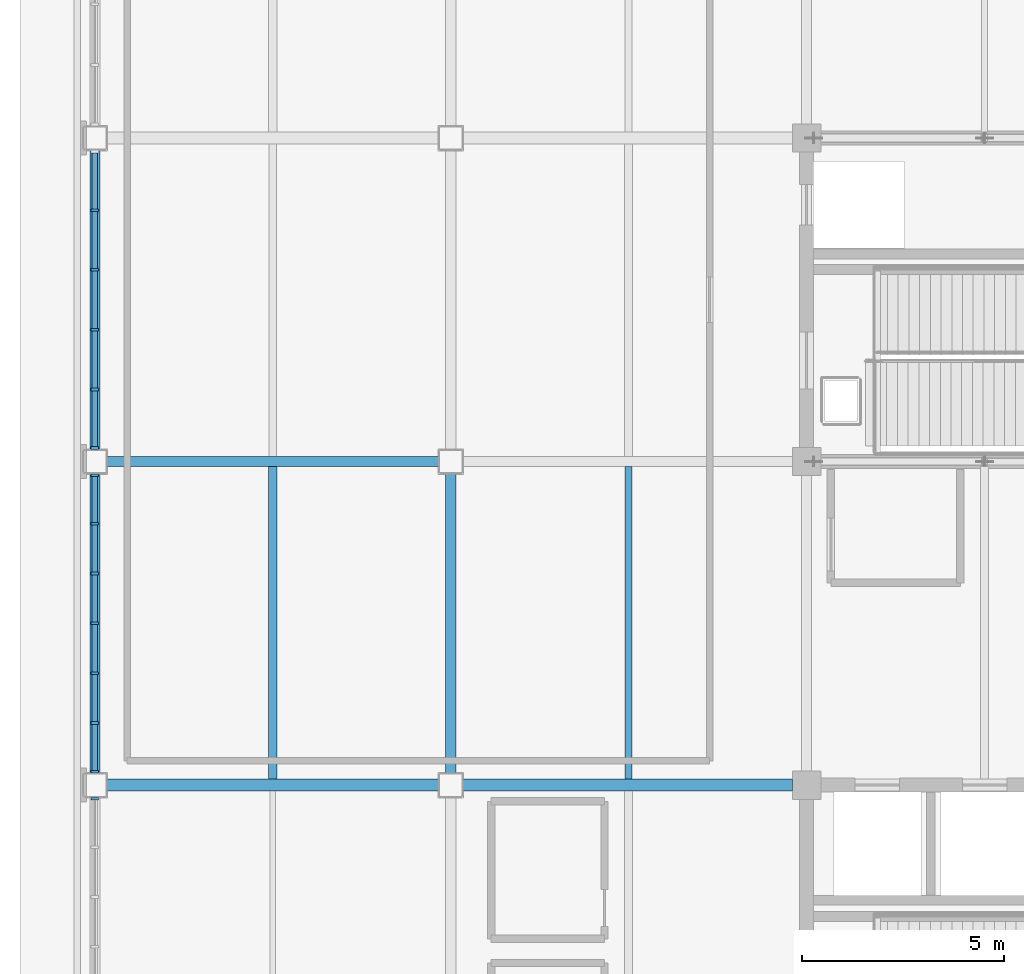
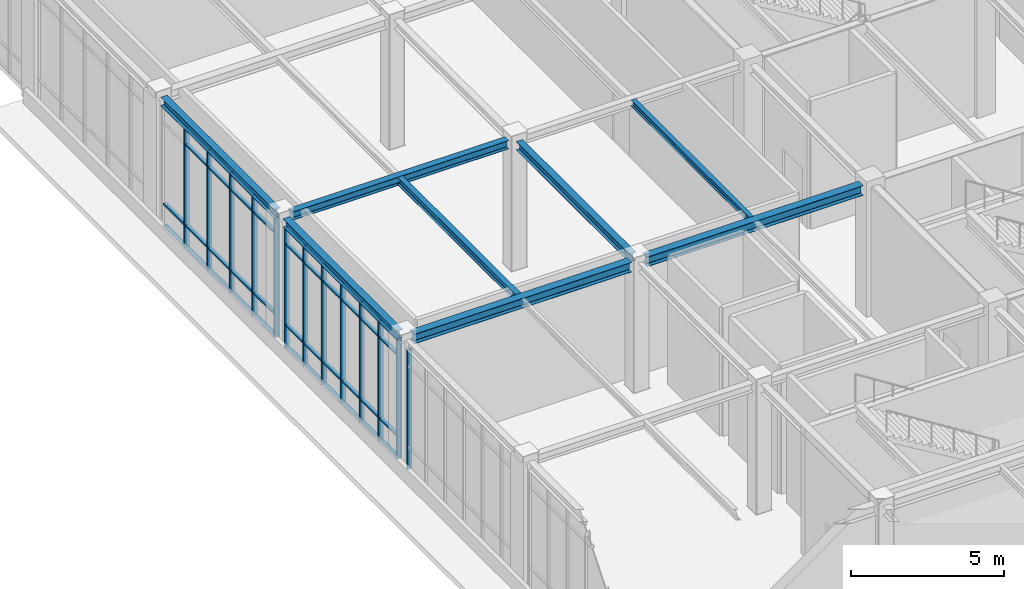
# One storey, part 28 of 108: 55 members, 8 beams, 3 elements without a shape of their own.
"""IFC4 building model written with IfcOpenShell, lengths in metres."""

from ifc_helpers import new_model, si_unit, direction, frame, origin, origin_2d, place, context, subcontext, project, spatial, rectangle, i_section, extrude, material, material_profile, profile_set, type_object, element, aggregate, save


model = new_model("IFC4")

# Units and contexts
model_context = context("Model", 3, precision=1e-05, world=origin(), true_north=direction((0.0, 1.0)))
body_context = subcontext(model_context, "Body", "Model", "MODEL_VIEW")
ifc_project = project(units=[si_unit("LENGTHUNIT", "METRE"), si_unit("AREAUNIT", "SQUARE_METRE"), si_unit("VOLUMEUNIT", "CUBIC_METRE"), si_unit("PLANEANGLEUNIT", "RADIAN"), si_unit("MASSUNIT", "GRAM", prefix="KILO")], contexts=[model_context])

# Site, building, storey
site_placement = place(None, origin())
site = spatial("IfcSite", under=ifc_project, at=site_placement, CompositionType="ELEMENT")
building_placement = place(site_placement, origin())
building = spatial("IfcBuilding", under=site, at=building_placement, Name="Zhaolan Boulevard Law Courts", CompositionType="ELEMENT")
storey_placement = place(building_placement, frame((0.0, 0.0, 10.800048828125)))
storey = spatial("IfcBuildingStorey", under=building, at=storey_placement, Name="L02", CompositionType="ELEMENT", Elevation=10.800048828125)

# Curtain wall, member
ifc_material_1 = material(Name="Thermally broken aluminium and low-E glazing", Category="aluminium")
curtain_wall_type_1 = type_object("IfcCurtainWallType", Name="CURTAIN WALL M14", PredefinedType="USERDEFINED", material=ifc_material_1)
curtain_wall_1_placement = place(storey_placement, origin())
curtain_wall_1 = element("IfcCurtainWall", 1, at=curtain_wall_1_placement, inside=storey, type_object=curtain_wall_type_1, Name="Curtain Wall CW-L02-158", ObjectType="CURTAIN WALL", PredefinedType="USERDEFINED")
ifc_material_2 = material(Name="Fluorocarbon-coated aluminium 6063-T6", Category="aluminium")
ifc_material_profile_1 = material_profile(ifc_material_2, rectangle(XDim=0.179931640625, YDim=0.06494140625, at=origin_2d()), Name="AL65x180")
ifc_profile_set_1 = profile_set([ifc_material_profile_1], Name="Fluorocarbon-coated aluminium 6063-T6")
member_type_1 = type_object("IfcMemberType", Name="CWMULLION 65X180", PredefinedType="MULLION", material=ifc_profile_set_1)
member_1_placement = place(storey_placement, frame((0.0, 53.66552734375, 0.0), z_axis=(0.0, 0.0, 1.0), x_axis=(1.0, 0.0, 0.0)))
member_1 = element("IfcMember", 2, at=member_1_placement, type_object=member_type_1, Name="CW-L02-158 mullion 1", PredefinedType="MULLION", context=body_context, shape_type="SweptSolid", body=[
    extrude(rectangle(XDim=0.179931640625, YDim=0.06494140625, at=origin_2d()), origin(), (0.0, 0.0, 1.0), 4.782958984375),
])
aggregate(curtain_wall_1, [member_1])

# Curtain wall, members
ifc_material_3 = material(Name="Thermally broken aluminium and low-E glazing", Category="aluminium")
curtain_wall_type_2 = type_object("IfcCurtainWallType", Name="CURTAIN WALL M15", PredefinedType="USERDEFINED", material=ifc_material_3)
curtain_wall_2_placement = place(storey_placement, origin())
curtain_wall_2 = element("IfcCurtainWall", 3, at=curtain_wall_2_placement, inside=storey, type_object=curtain_wall_type_2, Name="Curtain Wall CW-L02-159", ObjectType="CURTAIN WALL", PredefinedType="USERDEFINED")
member_2_placement = place(storey_placement, frame((0.0, 61.66552734375, 0.0), z_axis=(0.0, 0.0, 1.0), x_axis=(1.0, 0.0, 0.0)))
member_2 = element("IfcMember", 4, at=member_2_placement, type_object=member_type_1, Name="CW-L02-159 mullion 1", PredefinedType="MULLION", context=body_context, shape_type="SweptSolid", body=[
    extrude(rectangle(XDim=0.179931640625, YDim=0.06494140625, at=origin_2d()), origin(), (0.0, 0.0, 1.0), 4.782958984375),
])
member_3_placement = place(storey_placement, frame((0.0, 60.46533203125, 0.0), z_axis=(0.0, 0.0, 1.0), x_axis=(1.0, 0.0, 0.0)))
member_3 = element("IfcMember", 5, at=member_3_placement, type_object=member_type_1, Name="CW-L02-159 mullion 2", PredefinedType="MULLION", context=body_context, shape_type="SweptSolid", body=[
    extrude(rectangle(XDim=0.179931640625, YDim=0.06494140625, at=origin_2d()), origin(), (0.0, 0.0, 1.0), 4.782958984375),
])
member_4_placement = place(storey_placement, frame((0.0, 59.232666015625, 0.0), z_axis=(0.0, 0.0, 1.0), x_axis=(1.0, 0.0, 0.0)))
member_4 = element("IfcMember", 6, at=member_4_placement, type_object=member_type_1, Name="CW-L02-159 mullion 3", PredefinedType="MULLION", context=body_context, shape_type="SweptSolid", body=[
    extrude(rectangle(XDim=0.179931640625, YDim=0.06494140625, at=origin_2d()), origin(), (0.0, 0.0, 1.0), 4.782958984375),
])
member_5_placement = place(storey_placement, frame((0.0, 58.0, 0.0), z_axis=(0.0, 0.0, 1.0), x_axis=(1.0, 0.0, 0.0)))
member_5 = element("IfcMember", 7, at=member_5_placement, type_object=member_type_1, Name="CW-L02-159 mullion 4", PredefinedType="MULLION", context=body_context, shape_type="SweptSolid", body=[
    extrude(rectangle(XDim=0.179931640625, YDim=0.06494140625, at=origin_2d()), origin(), (0.0, 0.0, 1.0), 4.782958984375),
])
member_6_placement = place(storey_placement, frame((0.0, 56.767333984375, 0.0), z_axis=(0.0, 0.0, 1.0), x_axis=(1.0, 0.0, 0.0)))
member_6 = element("IfcMember", 8, at=member_6_placement, type_object=member_type_1, Name="CW-L02-159 mullion 5", PredefinedType="MULLION", context=body_context, shape_type="SweptSolid", body=[
    extrude(rectangle(XDim=0.179931640625, YDim=0.06494140625, at=origin_2d()), origin(), (0.0, 0.0, 1.0), 4.782958984375),
])
member_7_placement = place(storey_placement, frame((0.0, 55.53466796875, 0.0), z_axis=(0.0, 0.0, 1.0), x_axis=(1.0, 0.0, 0.0)))
member_7 = element("IfcMember", 9, at=member_7_placement, type_object=member_type_1, Name="CW-L02-159 mullion 6", PredefinedType="MULLION", context=body_context, shape_type="SweptSolid", body=[
    extrude(rectangle(XDim=0.179931640625, YDim=0.06494140625, at=origin_2d()), origin(), (0.0, 0.0, 1.0), 4.782958984375),
])
member_8_placement = place(storey_placement, frame((0.0, 54.33447265625, 0.0), z_axis=(0.0, 0.0, 1.0), x_axis=(1.0, 0.0, 0.0)))
member_8 = element("IfcMember", 10, at=member_8_placement, type_object=member_type_1, Name="CW-L02-159 mullion 7", PredefinedType="MULLION", context=body_context, shape_type="SweptSolid", body=[
    extrude(rectangle(XDim=0.179931640625, YDim=0.06494140625, at=origin_2d()), origin(), (0.0, 0.0, 1.0), 4.782958984375),
])

ifc_material_4 = material(Name="Thermally broken aluminium and low-E glazing", Category="aluminium")
curtain_wall_type_3 = type_object("IfcCurtainWallType", Name="CURTAIN WALL M16", PredefinedType="USERDEFINED", material=ifc_material_4)
curtain_wall_3_placement = place(storey_placement, origin())
curtain_wall_3 = element("IfcCurtainWall", 11, at=curtain_wall_3_placement, inside=storey, type_object=curtain_wall_type_3, Name="Curtain Wall CW-L02-160", ObjectType="CURTAIN WALL", PredefinedType="USERDEFINED")
member_9_placement = place(storey_placement, frame((0.0, 68.21875, 0.0), z_axis=(0.0, 0.0, 1.0), x_axis=(1.0, 0.0, 0.0)))
member_9 = element("IfcMember", 12, at=member_9_placement, type_object=member_type_1, Name="CW-L02-160 mullion 2", PredefinedType="MULLION", context=body_context, shape_type="SweptSolid", body=[
    extrude(rectangle(XDim=0.179931640625, YDim=0.06494140625, at=origin_2d()), origin(), (0.0, 0.0, 1.0), 4.782958984375),
])
member_10_placement = place(storey_placement, frame((0.0, 66.739501953125, 0.0), z_axis=(0.0, 0.0, 1.0), x_axis=(1.0, 0.0, 0.0)))
member_10 = element("IfcMember", 13, at=member_10_placement, type_object=member_type_1, Name="CW-L02-160 mullion 3", PredefinedType="MULLION", context=body_context, shape_type="SweptSolid", body=[
    extrude(rectangle(XDim=0.179931640625, YDim=0.06494140625, at=origin_2d()), origin(), (0.0, 0.0, 1.0), 4.782958984375),
])
member_11_placement = place(storey_placement, frame((0.0, 65.260498046875, 0.0), z_axis=(0.0, 0.0, 1.0), x_axis=(1.0, 0.0, 0.0)))
member_11 = element("IfcMember", 14, at=member_11_placement, type_object=member_type_1, Name="CW-L02-160 mullion 4", PredefinedType="MULLION", context=body_context, shape_type="SweptSolid", body=[
    extrude(rectangle(XDim=0.179931640625, YDim=0.06494140625, at=origin_2d()), origin(), (0.0, 0.0, 1.0), 4.782958984375),
])
member_12_placement = place(storey_placement, frame((0.0, 63.78125, 0.0), z_axis=(0.0, 0.0, 1.0), x_axis=(1.0, 0.0, 0.0)))
member_12 = element("IfcMember", 15, at=member_12_placement, type_object=member_type_1, Name="CW-L02-160 mullion 5", PredefinedType="MULLION", context=body_context, shape_type="SweptSolid", body=[
    extrude(rectangle(XDim=0.179931640625, YDim=0.06494140625, at=origin_2d()), origin(), (0.0, 0.0, 1.0), 4.782958984375),
])
member_13_placement = place(storey_placement, frame((0.0, 62.33447265625, 0.0), z_axis=(0.0, 0.0, 1.0), x_axis=(1.0, 0.0, 0.0)))
member_13 = element("IfcMember", 16, at=member_13_placement, type_object=member_type_1, Name="CW-L02-160 mullion 6", PredefinedType="MULLION", context=body_context, shape_type="SweptSolid", body=[
    extrude(rectangle(XDim=0.179931640625, YDim=0.06494140625, at=origin_2d()), origin(), (0.0, 0.0, 1.0), 4.782958984375),
])

# Member
ifc_material_5 = material(Name="Fluorocarbon-coated aluminium 6063-T6", Category="aluminium")
ifc_material_profile_2 = material_profile(ifc_material_5, rectangle(XDim=0.139892578125, YDim=0.06494140625, at=origin_2d()), Name="AL65x140")
ifc_profile_set_2 = profile_set([ifc_material_profile_2], Name="Fluorocarbon-coated aluminium 6063-T6")
member_type_2 = type_object("IfcMemberType", Name="CWTRANSOM 65X140", PredefinedType="USERDEFINED", material=ifc_profile_set_2)
member_14_placement = place(storey_placement, frame((0.0, 61.633056640625, 0.032470703125), z_axis=(0.0, -1.0, 0.0), x_axis=(1.0, 0.0, 0.0)))
member_14 = element("IfcMember", 17, at=member_14_placement, type_object=member_type_2, Name="CW-L02-159 transom 1.1", ObjectType="TRANSOM", PredefinedType="USERDEFINED", context=body_context, shape_type="SweptSolid", body=[
    extrude(rectangle(XDim=0.139892578125, YDim=0.06494140625, at=origin_2d()), origin(), (0.0, 0.0, 1.0), 1.13525390625),
])

member_15_placement = place(storey_placement, frame((0.0, 61.633056640625, 0.89990234375), z_axis=(0.0, -1.0, 0.0), x_axis=(1.0, 0.0, 0.0)))
member_15 = element("IfcMember", 18, at=member_15_placement, type_object=member_type_2, Name="CW-L02-159 transom 1.2", ObjectType="TRANSOM", PredefinedType="USERDEFINED", context=body_context, shape_type="SweptSolid", body=[
    extrude(rectangle(XDim=0.139892578125, YDim=0.06494140625, at=origin_2d()), origin(), (0.0, 0.0, 1.0), 1.13525390625),
])

member_16_placement = place(storey_placement, frame((0.0, 61.633056640625, 4.133056640625), z_axis=(0.0, -1.0, 0.0), x_axis=(1.0, 0.0, 0.0)))
member_16 = element("IfcMember", 19, at=member_16_placement, type_object=member_type_2, Name="CW-L02-159 transom 1.3", ObjectType="TRANSOM", PredefinedType="USERDEFINED", context=body_context, shape_type="SweptSolid", body=[
    extrude(rectangle(XDim=0.139892578125, YDim=0.06494140625, at=origin_2d()), origin(), (0.0, 0.0, 1.0), 1.13525390625),
])

member_17_placement = place(storey_placement, frame((0.0, 61.633056640625, 4.75048828125), z_axis=(0.0, -1.0, 0.0), x_axis=(1.0, 0.0, 0.0)))
member_17 = element("IfcMember", 20, at=member_17_placement, type_object=member_type_2, Name="CW-L02-159 transom 1.4", ObjectType="TRANSOM", PredefinedType="USERDEFINED", context=body_context, shape_type="SweptSolid", body=[
    extrude(rectangle(XDim=0.139892578125, YDim=0.06494140625, at=origin_2d()), origin(), (0.0, 0.0, 1.0), 1.13525390625),
])

member_18_placement = place(storey_placement, frame((0.0, 60.432861328125, 0.032470703125), z_axis=(0.0, -1.0, 0.0), x_axis=(1.0, 0.0, 0.0)))
member_18 = element("IfcMember", 21, at=member_18_placement, type_object=member_type_2, Name="CW-L02-159 transom 2.1", ObjectType="TRANSOM", PredefinedType="USERDEFINED", context=body_context, shape_type="SweptSolid", body=[
    extrude(rectangle(XDim=0.139892578125, YDim=0.06494140625, at=origin_2d()), origin(), (0.0, 0.0, 1.0), 1.167724609375),
])

member_19_placement = place(storey_placement, frame((0.0, 60.432861328125, 0.89990234375), z_axis=(0.0, -1.0, 0.0), x_axis=(1.0, 0.0, 0.0)))
member_19 = element("IfcMember", 22, at=member_19_placement, type_object=member_type_2, Name="CW-L02-159 transom 2.2", ObjectType="TRANSOM", PredefinedType="USERDEFINED", context=body_context, shape_type="SweptSolid", body=[
    extrude(rectangle(XDim=0.139892578125, YDim=0.06494140625, at=origin_2d()), origin(), (0.0, 0.0, 1.0), 1.167724609375),
])

member_20_placement = place(storey_placement, frame((0.0, 60.432861328125, 4.133056640625), z_axis=(0.0, -1.0, 0.0), x_axis=(1.0, 0.0, 0.0)))
member_20 = element("IfcMember", 23, at=member_20_placement, type_object=member_type_2, Name="CW-L02-159 transom 2.3", ObjectType="TRANSOM", PredefinedType="USERDEFINED", context=body_context, shape_type="SweptSolid", body=[
    extrude(rectangle(XDim=0.139892578125, YDim=0.06494140625, at=origin_2d()), origin(), (0.0, 0.0, 1.0), 1.167724609375),
])

member_21_placement = place(storey_placement, frame((0.0, 60.432861328125, 4.75048828125), z_axis=(0.0, -1.0, 0.0), x_axis=(1.0, 0.0, 0.0)))
member_21 = element("IfcMember", 24, at=member_21_placement, type_object=member_type_2, Name="CW-L02-159 transom 2.4", ObjectType="TRANSOM", PredefinedType="USERDEFINED", context=body_context, shape_type="SweptSolid", body=[
    extrude(rectangle(XDim=0.139892578125, YDim=0.06494140625, at=origin_2d()), origin(), (0.0, 0.0, 1.0), 1.167724609375),
])

member_22_placement = place(storey_placement, frame((0.0, 59.2001953125, 0.032470703125), z_axis=(0.0, -1.0, 0.0), x_axis=(1.0, 0.0, 0.0)))
member_22 = element("IfcMember", 25, at=member_22_placement, type_object=member_type_2, Name="CW-L02-159 transom 3.1", ObjectType="TRANSOM", PredefinedType="USERDEFINED", context=body_context, shape_type="SweptSolid", body=[
    extrude(rectangle(XDim=0.139892578125, YDim=0.06494140625, at=origin_2d()), origin(), (0.0, 0.0, 1.0), 1.167724609375),
])

member_23_placement = place(storey_placement, frame((0.0, 59.2001953125, 0.89990234375), z_axis=(0.0, -1.0, 0.0), x_axis=(1.0, 0.0, 0.0)))
member_23 = element("IfcMember", 26, at=member_23_placement, type_object=member_type_2, Name="CW-L02-159 transom 3.2", ObjectType="TRANSOM", PredefinedType="USERDEFINED", context=body_context, shape_type="SweptSolid", body=[
    extrude(rectangle(XDim=0.139892578125, YDim=0.06494140625, at=origin_2d()), origin(), (0.0, 0.0, 1.0), 1.167724609375),
])

member_24_placement = place(storey_placement, frame((0.0, 59.2001953125, 4.133056640625), z_axis=(0.0, -1.0, 0.0), x_axis=(1.0, 0.0, 0.0)))
member_24 = element("IfcMember", 27, at=member_24_placement, type_object=member_type_2, Name="CW-L02-159 transom 3.3", ObjectType="TRANSOM", PredefinedType="USERDEFINED", context=body_context, shape_type="SweptSolid", body=[
    extrude(rectangle(XDim=0.139892578125, YDim=0.06494140625, at=origin_2d()), origin(), (0.0, 0.0, 1.0), 1.167724609375),
])

member_25_placement = place(storey_placement, frame((0.0, 59.2001953125, 4.75048828125), z_axis=(0.0, -1.0, 0.0), x_axis=(1.0, 0.0, 0.0)))
member_25 = element("IfcMember", 28, at=member_25_placement, type_object=member_type_2, Name="CW-L02-159 transom 3.4", ObjectType="TRANSOM", PredefinedType="USERDEFINED", context=body_context, shape_type="SweptSolid", body=[
    extrude(rectangle(XDim=0.139892578125, YDim=0.06494140625, at=origin_2d()), origin(), (0.0, 0.0, 1.0), 1.167724609375),
])

member_26_placement = place(storey_placement, frame((0.0, 57.967529296875, 0.032470703125), z_axis=(0.0, -1.0, 0.0), x_axis=(1.0, 0.0, 0.0)))
member_26 = element("IfcMember", 29, at=member_26_placement, type_object=member_type_2, Name="CW-L02-159 transom 4.1", ObjectType="TRANSOM", PredefinedType="USERDEFINED", context=body_context, shape_type="SweptSolid", body=[
    extrude(rectangle(XDim=0.139892578125, YDim=0.06494140625, at=origin_2d()), origin(), (0.0, 0.0, 1.0), 1.167724609375),
])

member_27_placement = place(storey_placement, frame((0.0, 57.967529296875, 0.89990234375), z_axis=(0.0, -1.0, 0.0), x_axis=(1.0, 0.0, 0.0)))
member_27 = element("IfcMember", 30, at=member_27_placement, type_object=member_type_2, Name="CW-L02-159 transom 4.2", ObjectType="TRANSOM", PredefinedType="USERDEFINED", context=body_context, shape_type="SweptSolid", body=[
    extrude(rectangle(XDim=0.139892578125, YDim=0.06494140625, at=origin_2d()), origin(), (0.0, 0.0, 1.0), 1.167724609375),
])

member_28_placement = place(storey_placement, frame((0.0, 57.967529296875, 4.133056640625), z_axis=(0.0, -1.0, 0.0), x_axis=(1.0, 0.0, 0.0)))
member_28 = element("IfcMember", 31, at=member_28_placement, type_object=member_type_2, Name="CW-L02-159 transom 4.3", ObjectType="TRANSOM", PredefinedType="USERDEFINED", context=body_context, shape_type="SweptSolid", body=[
    extrude(rectangle(XDim=0.139892578125, YDim=0.06494140625, at=origin_2d()), origin(), (0.0, 0.0, 1.0), 1.167724609375),
])

member_29_placement = place(storey_placement, frame((0.0, 57.967529296875, 4.75048828125), z_axis=(0.0, -1.0, 0.0), x_axis=(1.0, 0.0, 0.0)))
member_29 = element("IfcMember", 32, at=member_29_placement, type_object=member_type_2, Name="CW-L02-159 transom 4.4", ObjectType="TRANSOM", PredefinedType="USERDEFINED", context=body_context, shape_type="SweptSolid", body=[
    extrude(rectangle(XDim=0.139892578125, YDim=0.06494140625, at=origin_2d()), origin(), (0.0, 0.0, 1.0), 1.167724609375),
])

member_30_placement = place(storey_placement, frame((0.0, 56.73486328125, 0.032470703125), z_axis=(0.0, -1.0, 0.0), x_axis=(1.0, 0.0, 0.0)))
member_30 = element("IfcMember", 33, at=member_30_placement, type_object=member_type_2, Name="CW-L02-159 transom 5.1", ObjectType="TRANSOM", PredefinedType="USERDEFINED", context=body_context, shape_type="SweptSolid", body=[
    extrude(rectangle(XDim=0.139892578125, YDim=0.06494140625, at=origin_2d()), origin(), (0.0, 0.0, 1.0), 1.167724609375),
])

member_31_placement = place(storey_placement, frame((0.0, 56.73486328125, 0.89990234375), z_axis=(0.0, -1.0, 0.0), x_axis=(1.0, 0.0, 0.0)))
member_31 = element("IfcMember", 34, at=member_31_placement, type_object=member_type_2, Name="CW-L02-159 transom 5.2", ObjectType="TRANSOM", PredefinedType="USERDEFINED", context=body_context, shape_type="SweptSolid", body=[
    extrude(rectangle(XDim=0.139892578125, YDim=0.06494140625, at=origin_2d()), origin(), (0.0, 0.0, 1.0), 1.167724609375),
])

member_32_placement = place(storey_placement, frame((0.0, 56.73486328125, 4.133056640625), z_axis=(0.0, -1.0, 0.0), x_axis=(1.0, 0.0, 0.0)))
member_32 = element("IfcMember", 35, at=member_32_placement, type_object=member_type_2, Name="CW-L02-159 transom 5.3", ObjectType="TRANSOM", PredefinedType="USERDEFINED", context=body_context, shape_type="SweptSolid", body=[
    extrude(rectangle(XDim=0.139892578125, YDim=0.06494140625, at=origin_2d()), origin(), (0.0, 0.0, 1.0), 1.167724609375),
])

member_33_placement = place(storey_placement, frame((0.0, 56.73486328125, 4.75048828125), z_axis=(0.0, -1.0, 0.0), x_axis=(1.0, 0.0, 0.0)))
member_33 = element("IfcMember", 36, at=member_33_placement, type_object=member_type_2, Name="CW-L02-159 transom 5.4", ObjectType="TRANSOM", PredefinedType="USERDEFINED", context=body_context, shape_type="SweptSolid", body=[
    extrude(rectangle(XDim=0.139892578125, YDim=0.06494140625, at=origin_2d()), origin(), (0.0, 0.0, 1.0), 1.167724609375),
])

member_34_placement = place(storey_placement, frame((0.0, 55.502197265625, 0.032470703125), z_axis=(0.0, -1.0, 0.0), x_axis=(1.0, 0.0, 0.0)))
member_34 = element("IfcMember", 37, at=member_34_placement, type_object=member_type_2, Name="CW-L02-159 transom 6.1", ObjectType="TRANSOM", PredefinedType="USERDEFINED", context=body_context, shape_type="SweptSolid", body=[
    extrude(rectangle(XDim=0.139892578125, YDim=0.06494140625, at=origin_2d()), origin(), (0.0, 0.0, 1.0), 1.13525390625),
])

member_35_placement = place(storey_placement, frame((0.0, 55.502197265625, 0.89990234375), z_axis=(0.0, -1.0, 0.0), x_axis=(1.0, 0.0, 0.0)))
member_35 = element("IfcMember", 38, at=member_35_placement, type_object=member_type_2, Name="CW-L02-159 transom 6.2", ObjectType="TRANSOM", PredefinedType="USERDEFINED", context=body_context, shape_type="SweptSolid", body=[
    extrude(rectangle(XDim=0.139892578125, YDim=0.06494140625, at=origin_2d()), origin(), (0.0, 0.0, 1.0), 1.13525390625),
])

member_36_placement = place(storey_placement, frame((0.0, 55.502197265625, 4.133056640625), z_axis=(0.0, -1.0, 0.0), x_axis=(1.0, 0.0, 0.0)))
member_36 = element("IfcMember", 39, at=member_36_placement, type_object=member_type_2, Name="CW-L02-159 transom 6.3", ObjectType="TRANSOM", PredefinedType="USERDEFINED", context=body_context, shape_type="SweptSolid", body=[
    extrude(rectangle(XDim=0.139892578125, YDim=0.06494140625, at=origin_2d()), origin(), (0.0, 0.0, 1.0), 1.13525390625),
])

member_37_placement = place(storey_placement, frame((0.0, 55.502197265625, 4.75048828125), z_axis=(0.0, -1.0, 0.0), x_axis=(1.0, 0.0, 0.0)))
member_37 = element("IfcMember", 40, at=member_37_placement, type_object=member_type_2, Name="CW-L02-159 transom 6.4", ObjectType="TRANSOM", PredefinedType="USERDEFINED", context=body_context, shape_type="SweptSolid", body=[
    extrude(rectangle(XDim=0.139892578125, YDim=0.06494140625, at=origin_2d()), origin(), (0.0, 0.0, 1.0), 1.13525390625),
])

aggregate(curtain_wall_2, [member_2, member_3, member_4, member_5, member_6, member_7, member_8, member_14, member_15, member_16, member_17, member_18, member_19, member_20, member_21, member_22, member_23, member_24, member_25, member_26, member_27, member_28, member_29, member_30, member_31, member_32, member_33, member_34, member_35, member_36, member_37])

member_38_placement = place(storey_placement, frame((0.0, 69.633056640625, 0.032470703125), z_axis=(0.0, -1.0, 0.0), x_axis=(1.0, 0.0, 0.0)))
member_38 = element("IfcMember", 41, at=member_38_placement, type_object=member_type_2, Name="CW-L02-160 transom 1.1", ObjectType="TRANSOM", PredefinedType="USERDEFINED", context=body_context, shape_type="SweptSolid", body=[
    extrude(rectangle(XDim=0.139892578125, YDim=0.06494140625, at=origin_2d()), origin(), (0.0, 0.0, 1.0), 1.3818359375),
])

member_39_placement = place(storey_placement, frame((0.0, 69.633056640625, 0.89990234375), z_axis=(0.0, -1.0, 0.0), x_axis=(1.0, 0.0, 0.0)))
member_39 = element("IfcMember", 42, at=member_39_placement, type_object=member_type_2, Name="CW-L02-160 transom 1.2", ObjectType="TRANSOM", PredefinedType="USERDEFINED", context=body_context, shape_type="SweptSolid", body=[
    extrude(rectangle(XDim=0.139892578125, YDim=0.06494140625, at=origin_2d()), origin(), (0.0, 0.0, 1.0), 1.3818359375),
])

member_40_placement = place(storey_placement, frame((0.0, 68.186279296875, 0.032470703125), z_axis=(0.0, -1.0, 0.0), x_axis=(1.0, 0.0, 0.0)))
member_40 = element("IfcMember", 43, at=member_40_placement, type_object=member_type_2, Name="CW-L02-160 transom 2.1", ObjectType="TRANSOM", PredefinedType="USERDEFINED", context=body_context, shape_type="SweptSolid", body=[
    extrude(rectangle(XDim=0.139892578125, YDim=0.06494140625, at=origin_2d()), origin(), (0.0, 0.0, 1.0), 1.4140625),
])

member_41_placement = place(storey_placement, frame((0.0, 68.186279296875, 0.89990234375), z_axis=(0.0, -1.0, 0.0), x_axis=(1.0, 0.0, 0.0)))
member_41 = element("IfcMember", 44, at=member_41_placement, type_object=member_type_2, Name="CW-L02-160 transom 2.2", ObjectType="TRANSOM", PredefinedType="USERDEFINED", context=body_context, shape_type="SweptSolid", body=[
    extrude(rectangle(XDim=0.139892578125, YDim=0.06494140625, at=origin_2d()), origin(), (0.0, 0.0, 1.0), 1.4140625),
])

member_42_placement = place(storey_placement, frame((0.0, 68.186279296875, 4.133056640625), z_axis=(0.0, -1.0, 0.0), x_axis=(1.0, 0.0, 0.0)))
member_42 = element("IfcMember", 45, at=member_42_placement, type_object=member_type_2, Name="CW-L02-160 transom 2.3", ObjectType="TRANSOM", PredefinedType="USERDEFINED", context=body_context, shape_type="SweptSolid", body=[
    extrude(rectangle(XDim=0.139892578125, YDim=0.06494140625, at=origin_2d()), origin(), (0.0, 0.0, 1.0), 1.4140625),
])

member_43_placement = place(storey_placement, frame((0.0, 68.186279296875, 4.75048828125), z_axis=(0.0, -1.0, 0.0), x_axis=(1.0, 0.0, 0.0)))
member_43 = element("IfcMember", 46, at=member_43_placement, type_object=member_type_2, Name="CW-L02-160 transom 2.4", ObjectType="TRANSOM", PredefinedType="USERDEFINED", context=body_context, shape_type="SweptSolid", body=[
    extrude(rectangle(XDim=0.139892578125, YDim=0.06494140625, at=origin_2d()), origin(), (0.0, 0.0, 1.0), 1.4140625),
])

member_44_placement = place(storey_placement, frame((0.0, 66.70703125, 0.032470703125), z_axis=(0.0, -1.0, 0.0), x_axis=(1.0, 0.0, 0.0)))
member_44 = element("IfcMember", 47, at=member_44_placement, type_object=member_type_2, Name="CW-L02-160 transom 3.1", ObjectType="TRANSOM", PredefinedType="USERDEFINED", context=body_context, shape_type="SweptSolid", body=[
    extrude(rectangle(XDim=0.139892578125, YDim=0.06494140625, at=origin_2d()), origin(), (0.0, 0.0, 1.0), 1.4140625),
])

member_45_placement = place(storey_placement, frame((0.0, 66.70703125, 0.89990234375), z_axis=(0.0, -1.0, 0.0), x_axis=(1.0, 0.0, 0.0)))
member_45 = element("IfcMember", 48, at=member_45_placement, type_object=member_type_2, Name="CW-L02-160 transom 3.2", ObjectType="TRANSOM", PredefinedType="USERDEFINED", context=body_context, shape_type="SweptSolid", body=[
    extrude(rectangle(XDim=0.139892578125, YDim=0.06494140625, at=origin_2d()), origin(), (0.0, 0.0, 1.0), 1.4140625),
])

member_46_placement = place(storey_placement, frame((0.0, 66.70703125, 4.133056640625), z_axis=(0.0, -1.0, 0.0), x_axis=(1.0, 0.0, 0.0)))
member_46 = element("IfcMember", 49, at=member_46_placement, type_object=member_type_2, Name="CW-L02-160 transom 3.3", ObjectType="TRANSOM", PredefinedType="USERDEFINED", context=body_context, shape_type="SweptSolid", body=[
    extrude(rectangle(XDim=0.139892578125, YDim=0.06494140625, at=origin_2d()), origin(), (0.0, 0.0, 1.0), 1.4140625),
])

member_47_placement = place(storey_placement, frame((0.0, 66.70703125, 4.75048828125), z_axis=(0.0, -1.0, 0.0), x_axis=(1.0, 0.0, 0.0)))
member_47 = element("IfcMember", 50, at=member_47_placement, type_object=member_type_2, Name="CW-L02-160 transom 3.4", ObjectType="TRANSOM", PredefinedType="USERDEFINED", context=body_context, shape_type="SweptSolid", body=[
    extrude(rectangle(XDim=0.139892578125, YDim=0.06494140625, at=origin_2d()), origin(), (0.0, 0.0, 1.0), 1.4140625),
])

member_48_placement = place(storey_placement, frame((0.0, 65.227783203125, 0.032470703125), z_axis=(0.0, -1.0, 0.0), x_axis=(1.0, 0.0, 0.0)))
member_48 = element("IfcMember", 51, at=member_48_placement, type_object=member_type_2, Name="CW-L02-160 transom 4.1", ObjectType="TRANSOM", PredefinedType="USERDEFINED", context=body_context, shape_type="SweptSolid", body=[
    extrude(rectangle(XDim=0.139892578125, YDim=0.06494140625, at=origin_2d()), origin(), (0.0, 0.0, 1.0), 1.4140625),
])

member_49_placement = place(storey_placement, frame((0.0, 65.227783203125, 0.89990234375), z_axis=(0.0, -1.0, 0.0), x_axis=(1.0, 0.0, 0.0)))
member_49 = element("IfcMember", 52, at=member_49_placement, type_object=member_type_2, Name="CW-L02-160 transom 4.2", ObjectType="TRANSOM", PredefinedType="USERDEFINED", context=body_context, shape_type="SweptSolid", body=[
    extrude(rectangle(XDim=0.139892578125, YDim=0.06494140625, at=origin_2d()), origin(), (0.0, 0.0, 1.0), 1.4140625),
])

member_50_placement = place(storey_placement, frame((0.0, 65.227783203125, 4.133056640625), z_axis=(0.0, -1.0, 0.0), x_axis=(1.0, 0.0, 0.0)))
member_50 = element("IfcMember", 53, at=member_50_placement, type_object=member_type_2, Name="CW-L02-160 transom 4.3", ObjectType="TRANSOM", PredefinedType="USERDEFINED", context=body_context, shape_type="SweptSolid", body=[
    extrude(rectangle(XDim=0.139892578125, YDim=0.06494140625, at=origin_2d()), origin(), (0.0, 0.0, 1.0), 1.4140625),
])

member_51_placement = place(storey_placement, frame((0.0, 65.227783203125, 4.75048828125), z_axis=(0.0, -1.0, 0.0), x_axis=(1.0, 0.0, 0.0)))
member_51 = element("IfcMember", 54, at=member_51_placement, type_object=member_type_2, Name="CW-L02-160 transom 4.4", ObjectType="TRANSOM", PredefinedType="USERDEFINED", context=body_context, shape_type="SweptSolid", body=[
    extrude(rectangle(XDim=0.139892578125, YDim=0.06494140625, at=origin_2d()), origin(), (0.0, 0.0, 1.0), 1.4140625),
])

member_52_placement = place(storey_placement, frame((0.0, 63.748779296875, 0.032470703125), z_axis=(0.0, -1.0, 0.0), x_axis=(1.0, 0.0, 0.0)))
member_52 = element("IfcMember", 55, at=member_52_placement, type_object=member_type_2, Name="CW-L02-160 transom 5.1", ObjectType="TRANSOM", PredefinedType="USERDEFINED", context=body_context, shape_type="SweptSolid", body=[
    extrude(rectangle(XDim=0.139892578125, YDim=0.06494140625, at=origin_2d()), origin(), (0.0, 0.0, 1.0), 1.3818359375),
])

member_53_placement = place(storey_placement, frame((0.0, 63.748779296875, 0.89990234375), z_axis=(0.0, -1.0, 0.0), x_axis=(1.0, 0.0, 0.0)))
member_53 = element("IfcMember", 56, at=member_53_placement, type_object=member_type_2, Name="CW-L02-160 transom 5.2", ObjectType="TRANSOM", PredefinedType="USERDEFINED", context=body_context, shape_type="SweptSolid", body=[
    extrude(rectangle(XDim=0.139892578125, YDim=0.06494140625, at=origin_2d()), origin(), (0.0, 0.0, 1.0), 1.3818359375),
])

member_54_placement = place(storey_placement, frame((0.0, 63.748779296875, 4.133056640625), z_axis=(0.0, -1.0, 0.0), x_axis=(1.0, 0.0, 0.0)))
member_54 = element("IfcMember", 57, at=member_54_placement, type_object=member_type_2, Name="CW-L02-160 transom 5.3", ObjectType="TRANSOM", PredefinedType="USERDEFINED", context=body_context, shape_type="SweptSolid", body=[
    extrude(rectangle(XDim=0.139892578125, YDim=0.06494140625, at=origin_2d()), origin(), (0.0, 0.0, 1.0), 1.3818359375),
])

member_55_placement = place(storey_placement, frame((0.0, 63.748779296875, 4.75048828125), z_axis=(0.0, -1.0, 0.0), x_axis=(1.0, 0.0, 0.0)))
member_55 = element("IfcMember", 58, at=member_55_placement, type_object=member_type_2, Name="CW-L02-160 transom 5.4", ObjectType="TRANSOM", PredefinedType="USERDEFINED", context=body_context, shape_type="SweptSolid", body=[
    extrude(rectangle(XDim=0.139892578125, YDim=0.06494140625, at=origin_2d()), origin(), (0.0, 0.0, 1.0), 1.3818359375),
])

aggregate(curtain_wall_3, [member_9, member_10, member_11, member_12, member_13, member_38, member_39, member_40, member_41, member_42, member_43, member_44, member_45, member_46, member_47, member_48, member_49, member_50, member_51, member_52, member_53, member_54, member_55])

# Beams
ifc_material_6 = material(Name="Structural steel Q355B", Category="steel")
ifc_material_profile_3 = material_profile(ifc_material_6, i_section(OverallWidth=0.25, OverallDepth=0.340087890625, WebThickness=0.009033203125, FlangeThickness=0.013916015625, FilletRadius=0.01611328125, at=origin_2d()), Name="HM340x250")
ifc_profile_set_3 = profile_set([ifc_material_profile_3], Name="Structural steel Q355B")
beam_type_1 = type_object("IfcBeamType", Name="GIRDER HM340", PredefinedType="BEAM", material=ifc_profile_set_3)
for number, where, z_axis, x_axis, name in (
    (59, (0.0, 54.2958984375, 4.968017578125), (0.0, 1.0, 0.0), (-1.0, 0.0, 0.0), "Beam BY-L03-1-H-J"),
    (60, (0.0, 62.2958984375, 4.968017578125), (0.0, 1.0, 0.0), (-1.0, 0.0, 0.0), "Beam BY-L03-1-J-K"),
    (61, (8.800048828125, 54.2958984375, 4.968017578125), (0.0, 1.0, 0.0), (-1.0, 0.0, 0.0), "Beam BY-L03-2-H-J"),
):
    element("IfcBeam", number, at=place(storey_placement, frame(where, z_axis=z_axis, x_axis=x_axis)), inside=storey, type_object=beam_type_1, Name=name, PredefinedType="BEAM", context=body_context, shape_type="SweptSolid", body=[
        extrude(i_section(OverallWidth=0.25, OverallDepth=0.340087890625, WebThickness=0.009033203125, FlangeThickness=0.013916015625, FilletRadius=0.01611328125, at=origin_2d()), origin(), (0.0, 0.0, 1.0), 7.408203125),
    ])
ifc_material_7 = material(Name="Structural steel Q355B", Category="steel")
ifc_material_profile_4 = material_profile(ifc_material_7, i_section(OverallWidth=0.300048828125, OverallDepth=0.389892578125, WebThickness=0.010009765625, FlangeThickness=0.01611328125, FilletRadius=0.01806640625, at=origin_2d()), Name="HM390x300")
ifc_profile_set_4 = profile_set([ifc_material_profile_4], Name="Structural steel Q355B")
beam_type_2 = type_object("IfcBeamType", Name="GIRDER HM390", PredefinedType="BEAM", material=ifc_profile_set_4)
beam_1_placement = place(storey_placement, frame((0.2958984375, 54.0, 4.94287109375), z_axis=(1.0, 0.0, 0.0), x_axis=(0.0, 1.0, 0.0)))
element("IfcBeam", 62, at=beam_1_placement, inside=storey, type_object=beam_type_2, Name="Beam BX-L03-1-2-H", PredefinedType="BEAM", context=body_context, shape_type="SweptSolid", body=[
    extrude(i_section(OverallWidth=0.300048828125, OverallDepth=0.389892578125, WebThickness=0.010009765625, FlangeThickness=0.01611328125, FilletRadius=0.01806640625, at=origin_2d()), origin(), (0.0, 0.0, 1.0), 8.2080078125),
])
beam_2_placement = place(storey_placement, frame((9.095947265625, 54.0, 4.94287109375), z_axis=(1.0, 0.0, 0.0), x_axis=(0.0, 1.0, 0.0)))
element("IfcBeam", 63, at=beam_2_placement, inside=storey, type_object=beam_type_2, Name="Beam BX-L03-2-3-H", PredefinedType="BEAM", context=body_context, shape_type="SweptSolid", body=[
    extrude(i_section(OverallWidth=0.300048828125, OverallDepth=0.389892578125, WebThickness=0.010009765625, FlangeThickness=0.01611328125, FilletRadius=0.01806640625, at=origin_2d()), origin(), (0.0, 0.0, 1.0), 8.157958984375),
])
ifc_material_8 = material(Name="Structural steel Q355B", Category="steel")
ifc_material_profile_5 = material_profile(ifc_material_8, i_section(OverallWidth=0.175048828125, OverallDepth=0.243896484375, WebThickness=0.007080078125, FlangeThickness=0.010986328125, FilletRadius=0.012939453125, at=origin_2d()), Name="HM244x175")
ifc_profile_set_5 = profile_set([ifc_material_profile_5], Name="Structural steel Q355B")
beam_type_3 = type_object("IfcBeamType", Name="JOIST HM244", PredefinedType="JOIST", material=ifc_profile_set_5)
beam_3_placement = place(storey_placement, frame((13.199951171875, 54.14599609375, 5.015869140625), z_axis=(0.0, 1.0, 0.0), x_axis=(-1.0, 0.0, 0.0)))
element("IfcBeam", 64, at=beam_3_placement, inside=storey, type_object=beam_type_3, Name="Composite Joist J-L03-2H", PredefinedType="JOIST", context=body_context, shape_type="SweptSolid", body=[
    extrude(i_section(OverallWidth=0.175048828125, OverallDepth=0.243896484375, WebThickness=0.007080078125, FlangeThickness=0.010986328125, FilletRadius=0.012939453125, at=origin_2d()), origin(), (0.0, 0.0, 1.0), 7.73291015625),
])
ifc_material_9 = material(Name="Structural steel Q355B", Category="steel")
ifc_material_profile_6 = material_profile(ifc_material_9, i_section(OverallWidth=0.199951171875, OverallDepth=0.2939453125, WebThickness=0.008056640625, FlangeThickness=0.011962890625, FilletRadius=0.01611328125, at=origin_2d()), Name="HM294x200")
ifc_profile_set_6 = profile_set([ifc_material_profile_6], Name="Structural steel Q355B")
beam_type_4 = type_object("IfcBeamType", Name="JOIST HM294", PredefinedType="JOIST", material=ifc_profile_set_6)
beam_4_placement = place(storey_placement, frame((4.39990234375, 54.14599609375, 4.990966796875), z_axis=(0.0, 1.0, 0.0), x_axis=(-1.0, 0.0, 0.0)))
element("IfcBeam", 65, at=beam_4_placement, inside=storey, type_object=beam_type_4, Name="Composite Joist J-L03-1H", PredefinedType="JOIST", context=body_context, shape_type="SweptSolid", body=[
    extrude(i_section(OverallWidth=0.199951171875, OverallDepth=0.2939453125, WebThickness=0.008056640625, FlangeThickness=0.011962890625, FilletRadius=0.01611328125, at=origin_2d()), origin(), (0.0, 0.0, 1.0), 7.73291015625),
])
ifc_material_10 = material(Name="Structural steel Q355B", Category="steel")
ifc_material_profile_7 = material_profile(ifc_material_10, i_section(OverallWidth=0.25, OverallDepth=0.340087890625, WebThickness=0.009033203125, FlangeThickness=0.013916015625, FilletRadius=0.01611328125, at=origin_2d()), Name="HM340x250")
ifc_profile_set_7 = profile_set([ifc_material_profile_7], Name="Structural steel Q355B")
beam_type_5 = type_object("IfcBeamType", Name="SPANDREL HM340", PredefinedType="SPANDREL", material=ifc_profile_set_7)
beam_5_placement = place(storey_placement, frame((0.2958984375, 62.0, 4.968017578125), z_axis=(1.0, 0.0, 0.0), x_axis=(0.0, 1.0, 0.0)))
element("IfcBeam", 66, at=beam_5_placement, inside=storey, type_object=beam_type_5, Name="Beam BX-L03-1-2-J", PredefinedType="SPANDREL", context=body_context, shape_type="SweptSolid", body=[
    extrude(i_section(OverallWidth=0.25, OverallDepth=0.340087890625, WebThickness=0.009033203125, FlangeThickness=0.013916015625, FilletRadius=0.01611328125, at=origin_2d()), origin(), (0.0, 0.0, 1.0), 8.2080078125),
])

save(model, "model.ifc")
